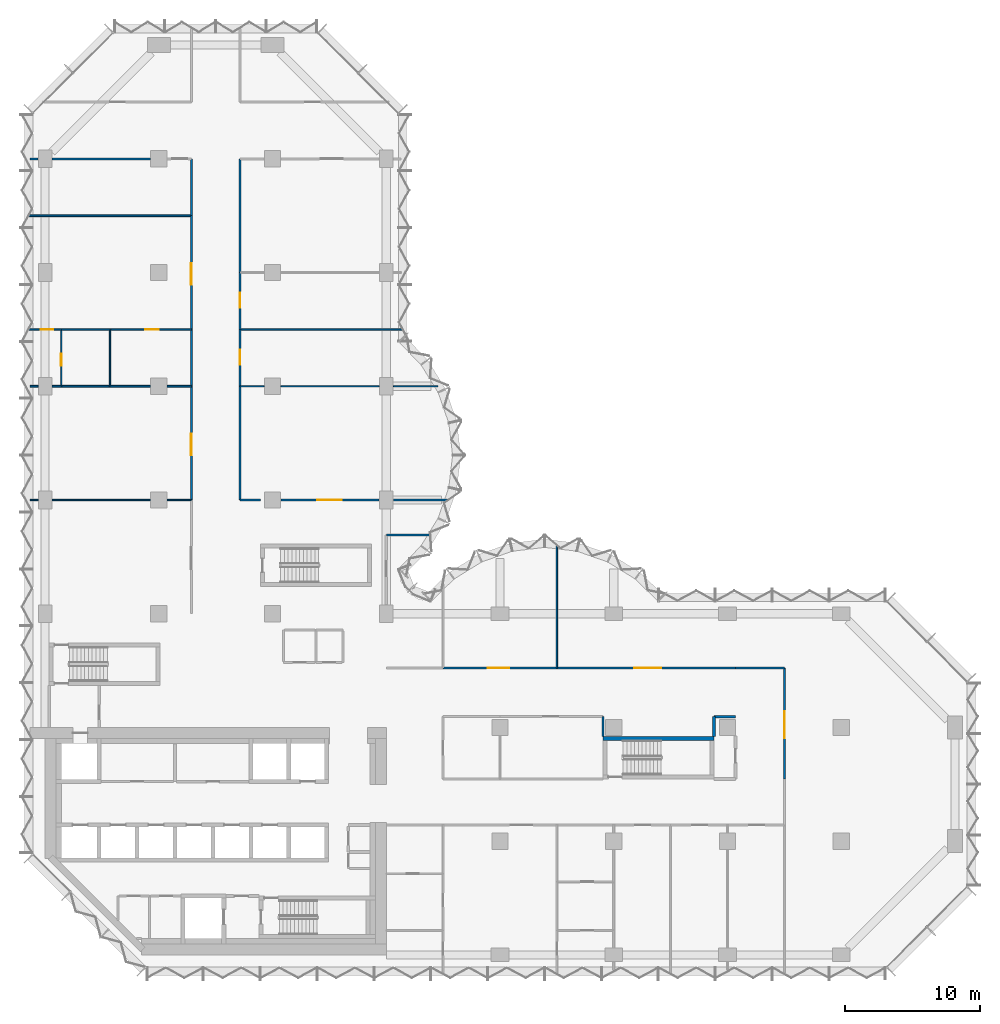
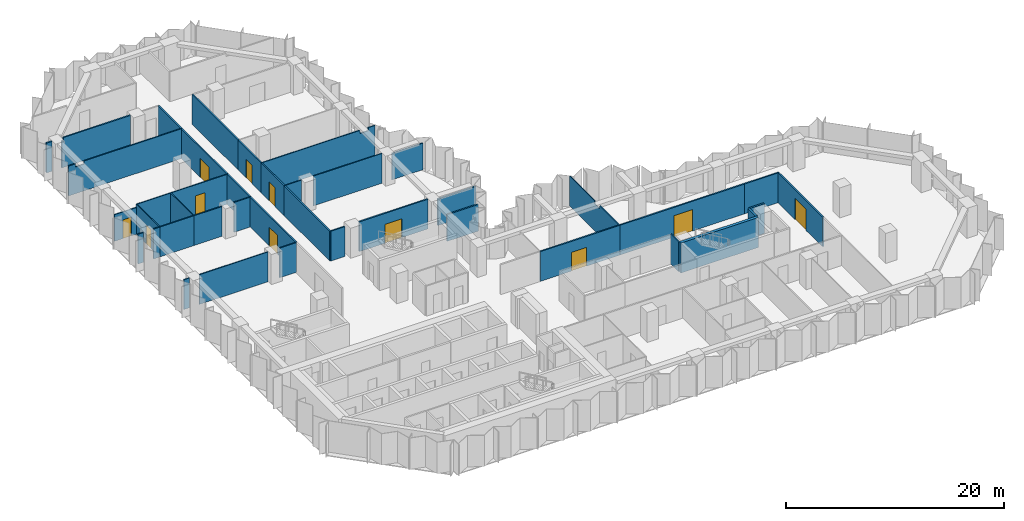
# One storey, part 10 of 13: 41 walls, 11 doors, 11 openings.
"""IFC4 building model written with IfcOpenShell, lengths in metres."""

from ifc_helpers import new_model, si_unit, direction, frame, frame_2d, origin, place, context, subcontext, project, spatial, polyline, rectangle, outline, extrude, material, layer, layer_set, type_object, element, fill, save


model = new_model("IFC4")

# Units and contexts
model_context = context("Model", 3, precision=1e-05, world=origin(), true_north=direction((0.0, 1.0)))
body_context = subcontext(model_context, "Body", "Model", "MODEL_VIEW")
ifc_project = project(units=[si_unit("LENGTHUNIT", "METRE"), si_unit("AREAUNIT", "SQUARE_METRE"), si_unit("VOLUMEUNIT", "CUBIC_METRE"), si_unit("PLANEANGLEUNIT", "RADIAN"), si_unit("MASSUNIT", "GRAM", prefix="KILO")], contexts=[model_context])

# Site, building, storey
site_placement = place(None, origin())
site = spatial("IfcSite", under=ifc_project, at=site_placement, CompositionType="ELEMENT")
building_placement = place(site_placement, origin())
building = spatial("IfcBuilding", under=site, at=building_placement, Name="Brevane Broadcast Tower", CompositionType="ELEMENT")
storey_placement = place(building_placement, frame((0.0, 0.0, 102.5)))
storey = spatial("IfcBuildingStorey", under=building, at=storey_placement, Name="L24", CompositionType="ELEMENT", Elevation=102.5)

# Walls
ifc_material_1 = material(Name="Concrete C60/75", Category="concrete")
ifc_layer_1 = layer(ifc_material_1, 0.300048828125)
ifc_layer_set_1 = layer_set([ifc_layer_1], Name="Core wall 300 mm C60/75")
wall_type_1 = type_object("IfcWallType", Name="Core wall 300 mm C60/75", PredefinedType="SHEAR", material=ifc_layer_set_1)
wall_1_placement = place(storey_placement, frame((41.199951171875, 16.0, 0.0), z_axis=(0.0, 0.0, 1.0), x_axis=(1.0, 0.0, 0.0)))
element("IfcWall", 1, at=wall_1_placement, inside=storey, type_object=wall_type_1, Name="L24 stair wall ST-4-N", PredefinedType="SHEAR", context=body_context, shape_type="SweptSolid", body=[
    extrude(rectangle(XDim=8.199951171875, YDim=0.300048828125, at=frame_2d((4.10009765625, 0.0))), origin(), (0.0, 0.0, 1.0), 3.35009765625),
])
ifc_material_2 = material(Name="Gypsum board partition")
ifc_layer_2 = layer(ifc_material_2, 0.10009765625)
ifc_layer_set_2 = layer_set([ifc_layer_2], Name="PARTITION 100 STUD")
wall_type_2 = type_object("IfcWallType", Name="PARTITION 100 STUD", PredefinedType="PARTITIONING", material=ifc_layer_set_2)
wall_2_placement = place(storey_placement, frame((37.800048828125, 30.24267578125, 0.0), z_axis=(0.0, 0.0, 1.0), x_axis=(0.0, -1.0, 0.0)))
element("IfcWall", 2, at=wall_2_placement, inside=storey, type_object=wall_type_2, Name="Partition G07-047", PredefinedType="PARTITIONING", context=body_context, shape_type="SweptSolid", body=[
    extrude(outline(polyline([(0.0, 0.0), (9.042724609375, 0.0), (9.042724609375, 3.330078125), (5.49267578125, 3.330078125), (5.49072265625, 2.97998046875), (4.5947265625, 2.97998046875), (4.5927734375, 3.330078125), (0.0, 3.330078125), (0.0, 0.0)])), frame((0.0, 0.050048828125, 0.0), z_axis=(0.0, -1.0, 0.0), x_axis=(1.0, 0.0, 0.0)), (0.0, 0.0, 1.0), 0.10009765625),
])
wall_3_placement = place(storey_placement, frame((-1.10009765625, 33.60009765625, 0.0), z_axis=(0.0, 0.0, 1.0), x_axis=(1.0, 0.0, 0.0)))
element("IfcWall", 3, at=wall_3_placement, inside=storey, type_object=wall_type_2, Name="Partition G07-066", PredefinedType="PARTITIONING", context=body_context, shape_type="SweptSolid", body=[
    extrude(rectangle(XDim=0.580078125, YDim=0.10009765625, at=frame_2d((0.2900390625, 0.0))), origin(), (0.0, 0.0, 1.0), 3.330078125),
])
wall_4_placement = place(storey_placement, frame((0.52001953125, 33.60009765625, 0.0), z_axis=(0.0, 0.0, 1.0), x_axis=(1.0, 0.0, 0.0)))
element("IfcWall", 4, at=wall_4_placement, inside=storey, type_object=wall_type_2, Name="Partition G07-067", PredefinedType="PARTITIONING", context=body_context, shape_type="SweptSolid", body=[
    extrude(rectangle(XDim=7.260009765625, YDim=0.10009765625, at=frame_2d((3.6298828125, 0.0))), origin(), (0.0, 0.0, 1.0), 3.330078125),
])
wall_5_placement = place(storey_placement, frame((9.02001953125, 33.60009765625, 0.0), z_axis=(0.0, 0.0, 1.0), x_axis=(1.0, 0.0, 0.0)))
element("IfcWall", 5, at=wall_5_placement, inside=storey, type_object=wall_type_2, Name="Partition G07-068", PredefinedType="PARTITIONING", context=body_context, shape_type="SweptSolid", body=[
    extrude(rectangle(XDim=1.780029296875, YDim=0.10009765625, at=frame_2d((0.89013671875, 0.0))), origin(), (0.0, 0.0, 1.0), 3.330078125),
])

# Wall, opening, door
wall_6_placement = place(storey_placement, frame((1.199951171875, 46.199951171875, 0.0), z_axis=(0.0, 0.0, 1.0), x_axis=(-1.0, 0.0, 0.0)))
wall_6 = element("IfcWall", 6, at=wall_6_placement, inside=storey, type_object=wall_type_2, Name="Partition G07-074", PredefinedType="PARTITIONING", context=body_context, shape_type="SweptSolid", body=[
    extrude(rectangle(XDim=2.3740234375, YDim=0.10009765625, at=frame_2d((1.18701171875, 0.0))), origin(), (0.0, 0.0, 1.0), 2.97998046875),
])
opening_1_placement = place(wall_6_placement, frame((0.60009765625, 0.0, 0.0)))
opening_1 = element("IfcOpeningElement", 7, at=opening_1_placement, cuts=wall_6, Name="Opening D14-021", PredefinedType="OPENING", context=body_context, shape_type="SweptSolid", body=[
    extrude(rectangle(XDim=0.89990234375, YDim=2.10009765625, at=frame_2d((0.449951171875, 1.050048828125))), frame((0.0, 0.06005859375, 0.0), z_axis=(0.0, -1.0, 0.0), x_axis=(1.0, 0.0, 0.0)), (0.0, 0.0, 1.0), 0.1201171875),
])
ifc_material_3 = material(Name="Timber door leaf", Category="wood")
door_type_1 = type_object("IfcDoorType", Name="DOOR SINGLE 900 INTERNAL", OperationType="SINGLE_SWING_LEFT", PredefinedType="DOOR", material=ifc_material_3)
door_1_placement = place(opening_1_placement, origin())
door_1 = element("IfcDoor", 8, at=door_1_placement, inside=storey, type_object=door_type_1, Name="Door D14-021", OperationType="SINGLE_SWING_LEFT", OverallHeight=2.10009765625, OverallWidth=0.89990234375, PredefinedType="DOOR", context=body_context, shape_type="SweptSolid", body=[
    extrude(rectangle(XDim=0.89990234375, YDim=2.10009765625, at=frame_2d((0.449951171875, 1.050048828125))), frame((0.0, 0.02490234375, 0.0), z_axis=(0.0, -1.0, 0.0), x_axis=(1.0, 0.0, 0.0)), (0.0, 0.0, 1.0), 0.050048828125),
])
fill(opening_1, door_1)

# Wall
wall_7_placement = place(storey_placement, frame((4.800048828125, 46.199951171875, 0.0), z_axis=(0.0, 0.0, 1.0), x_axis=(-1.0, 0.0, 0.0)))
element("IfcWall", 9, at=wall_7_placement, inside=storey, type_object=wall_type_2, Name="Partition G07-075", PredefinedType="PARTITIONING", context=body_context, shape_type="SweptSolid", body=[
    extrude(rectangle(XDim=3.60009765625, YDim=0.10009765625, at=frame_2d((1.800048828125, 0.0))), origin(), (0.0, 0.0, 1.0), 3.330078125),
])

# Wall, opening, door
wall_8_placement = place(storey_placement, frame((10.800048828125, 46.199951171875, 0.0), z_axis=(0.0, 0.0, 1.0), x_axis=(-1.0, 0.0, 0.0)))
wall_8 = element("IfcWall", 10, at=wall_8_placement, inside=storey, type_object=wall_type_2, Name="Partition G07-076", PredefinedType="PARTITIONING", context=body_context, shape_type="SweptSolid", body=[
    extrude(rectangle(XDim=6.0, YDim=0.10009765625, at=frame_2d((3.0, 0.0))), origin(), (0.0, 0.0, 1.0), 3.330078125),
])
opening_2_placement = place(wall_8_placement, frame((2.39990234375, 0.0, 0.0)))
opening_2 = element("IfcOpeningElement", 11, at=opening_2_placement, cuts=wall_8, Name="Opening D14-023", PredefinedType="OPENING", context=body_context, shape_type="SweptSolid", body=[
    extrude(rectangle(XDim=1.0, YDim=2.10009765625, at=frame_2d((0.5, 1.050048828125))), frame((0.0, 0.06005859375, 0.0), z_axis=(0.0, -1.0, 0.0), x_axis=(1.0, 0.0, 0.0)), (0.0, 0.0, 1.0), 0.1201171875),
])
door_type_2 = type_object("IfcDoorType", Name="DOOR SINGLE 1000 INTERNAL", OperationType="SINGLE_SWING_LEFT", PredefinedType="DOOR", material=ifc_material_3)
door_2_placement = place(opening_2_placement, origin())
door_2 = element("IfcDoor", 12, at=door_2_placement, inside=storey, type_object=door_type_2, Name="Door D14-023", OperationType="SINGLE_SWING_LEFT", OverallHeight=2.10009765625, OverallWidth=1.0, PredefinedType="DOOR", context=body_context, shape_type="SweptSolid", body=[
    extrude(rectangle(XDim=1.0, YDim=2.10009765625, at=frame_2d((0.5, 1.050048828125))), frame((0.0, 0.02490234375, 0.0), z_axis=(0.0, -1.0, 0.0), x_axis=(1.0, 0.0, 0.0)), (0.0, 0.0, 1.0), 0.050048828125),
])
fill(opening_2, door_2)

wall_9_placement = place(storey_placement, frame((1.199951171875, 46.199951171875, 0.0), z_axis=(0.0, 0.0, 1.0), x_axis=(0.0, -1.0, 0.0)))
wall_9 = element("IfcWall", 13, at=wall_9_placement, inside=storey, type_object=wall_type_2, Name="Partition G07-078", PredefinedType="PARTITIONING", context=body_context, shape_type="SweptSolid", body=[
    extrude(rectangle(XDim=4.199951171875, YDim=0.10009765625, at=frame_2d((2.10009765625, 0.0))), origin(), (0.0, 0.0, 1.0), 3.330078125),
])
opening_3_placement = place(wall_9_placement, frame((1.800048828125, 0.0, 0.0)))
opening_3 = element("IfcOpeningElement", 14, at=opening_3_placement, cuts=wall_9, Name="Opening D14-022", PredefinedType="OPENING", context=body_context, shape_type="SweptSolid", body=[
    extrude(rectangle(XDim=0.89990234375, YDim=2.10009765625, at=frame_2d((0.449951171875, 1.050048828125))), frame((0.0, 0.06005859375, 0.0), z_axis=(0.0, -1.0, 0.0), x_axis=(1.0, 0.0, 0.0)), (0.0, 0.0, 1.0), 0.1201171875),
])
door_3_placement = place(opening_3_placement, origin())
door_3 = element("IfcDoor", 15, at=door_3_placement, inside=storey, type_object=door_type_1, Name="Door D14-022", OperationType="SINGLE_SWING_LEFT", OverallHeight=2.10009765625, OverallWidth=0.89990234375, PredefinedType="DOOR", context=body_context, shape_type="SweptSolid", body=[
    extrude(rectangle(XDim=0.89990234375, YDim=2.10009765625, at=frame_2d((0.449951171875, 1.050048828125))), frame((0.0, 0.02490234375, 0.0), z_axis=(0.0, -1.0, 0.0), x_axis=(1.0, 0.0, 0.0)), (0.0, 0.0, 1.0), 0.050048828125),
])
fill(opening_3, door_3)

# Walls
wall_10_placement = place(storey_placement, frame((4.800048828125, 46.199951171875, 0.0), z_axis=(0.0, 0.0, 1.0), x_axis=(0.0, -1.0, 0.0)))
element("IfcWall", 16, at=wall_10_placement, inside=storey, type_object=wall_type_2, Name="Partition G07-079", PredefinedType="PARTITIONING", context=body_context, shape_type="SweptSolid", body=[
    extrude(rectangle(XDim=4.199951171875, YDim=0.10009765625, at=frame_2d((2.10009765625, 0.0))), origin(), (0.0, 0.0, 1.0), 3.330078125),
])
wall_11_placement = place(storey_placement, frame((14.39990234375, 42.0, 0.0), z_axis=(0.0, 0.0, 1.0), x_axis=(1.0, 0.0, 0.0)))
element("IfcWall", 17, at=wall_11_placement, inside=storey, type_object=wall_type_2, Name="Partition G07-084", PredefinedType="PARTITIONING", context=body_context, shape_type="SweptSolid", body=[
    extrude(rectangle(XDim=1.780029296875, YDim=0.10009765625, at=frame_2d((0.89013671875, 0.0))), origin(), (0.0, 0.0, 1.0), 3.330078125),
])
wall_12_placement = place(storey_placement, frame((17.419921875, 42.0, 0.0), z_axis=(0.0, 0.0, 1.0), x_axis=(1.0, 0.0, 0.0)))
element("IfcWall", 18, at=wall_12_placement, inside=storey, type_object=wall_type_2, Name="Partition G07-085", PredefinedType="PARTITIONING", context=body_context, shape_type="SweptSolid", body=[
    extrude(rectangle(XDim=7.260009765625, YDim=0.10009765625, at=frame_2d((3.6298828125, 0.0))), origin(), (0.0, 0.0, 1.0), 3.330078125),
])
wall_13_placement = place(storey_placement, frame((25.719970703125, 42.0, 0.0), z_axis=(0.0, 0.0, 1.0), x_axis=(1.0, 0.0, 0.0)))
element("IfcWall", 19, at=wall_13_placement, inside=storey, type_object=wall_type_2, Name="Partition G07-086", PredefinedType="PARTITIONING", context=body_context, shape_type="SweptSolid", body=[
    extrude(rectangle(XDim=3.29150390625, YDim=0.10009765625, at=frame_2d((1.645751953125, 0.0))), origin(), (0.0, 0.0, 1.0), 2.97998046875),
])
wall_14_placement = place(storey_placement, frame((14.39990234375, 46.199951171875, 0.0), z_axis=(0.0, 0.0, 1.0), x_axis=(1.0, 0.0, 0.0)))
element("IfcWall", 20, at=wall_14_placement, inside=storey, type_object=wall_type_2, Name="Partition G07-087", PredefinedType="PARTITIONING", context=body_context, shape_type="SweptSolid", body=[
    extrude(outline(polyline([(0.0, 0.0), (11.97412109375, 0.0), (11.97412109375, 3.330078125), (11.89990234375, 3.330078125), (11.25, 3.330078125), (11.248046875, 2.97998046875), (10.35205078125, 2.97998046875), (10.35009765625, 3.330078125), (0.0, 3.330078125), (0.0, 0.0)])), frame((0.0, 0.050048828125, 0.0), z_axis=(0.0, -1.0, 0.0), x_axis=(1.0, 0.0, 0.0)), (0.0, 0.0, 1.0), 0.10009765625),
])
ifc_layer_3 = layer(ifc_material_2, 0.125)
ifc_layer_set_3 = layer_set([ifc_layer_3], Name="PARTITION 125 ACOUSTIC")
wall_type_3 = type_object("IfcWallType", Name="PARTITION 125 ACOUSTIC", PredefinedType="PARTITIONING", material=ifc_layer_set_3)
wall_15_placement = place(storey_placement, frame((-1.10009765625, 42.0, 0.0), z_axis=(0.0, 0.0, 1.0), x_axis=(1.0, 0.0, 0.0)))
element("IfcWall", 21, at=wall_15_placement, inside=storey, type_object=wall_type_3, Name="Partition G07-069", PredefinedType="PARTITIONING", context=body_context, shape_type="SweptSolid", body=[
    extrude(rectangle(XDim=0.580078125, YDim=0.125, at=frame_2d((0.2900390625, 0.0))), origin(), (0.0, 0.0, 1.0), 3.330078125),
])
wall_16_placement = place(storey_placement, frame((0.52001953125, 42.0, 0.0), z_axis=(0.0, 0.0, 1.0), x_axis=(1.0, 0.0, 0.0)))
element("IfcWall", 22, at=wall_16_placement, inside=storey, type_object=wall_type_3, Name="Partition G07-070", PredefinedType="PARTITIONING", context=body_context, shape_type="SweptSolid", body=[
    extrude(rectangle(XDim=0.679931640625, YDim=0.125, at=frame_2d((0.33984375, 0.0))), origin(), (0.0, 0.0, 1.0), 3.330078125),
])
wall_17_placement = place(storey_placement, frame((1.199951171875, 42.0, 0.0), z_axis=(0.0, 0.0, 1.0), x_axis=(1.0, 0.0, 0.0)))
element("IfcWall", 23, at=wall_17_placement, inside=storey, type_object=wall_type_3, Name="Partition G07-071", PredefinedType="PARTITIONING", context=body_context, shape_type="SweptSolid", body=[
    extrude(rectangle(XDim=3.60009765625, YDim=0.125, at=frame_2d((1.800048828125, 0.0))), origin(), (0.0, 0.0, 1.0), 3.330078125),
])
wall_18_placement = place(storey_placement, frame((4.800048828125, 42.0, 0.0), z_axis=(0.0, 0.0, 1.0), x_axis=(1.0, 0.0, 0.0)))
element("IfcWall", 24, at=wall_18_placement, inside=storey, type_object=wall_type_3, Name="Partition G07-072", PredefinedType="PARTITIONING", context=body_context, shape_type="SweptSolid", body=[
    extrude(rectangle(XDim=2.97998046875, YDim=0.125, at=frame_2d((1.489990234375, 0.0))), origin(), (0.0, 0.0, 1.0), 3.330078125),
])
wall_19_placement = place(storey_placement, frame((9.02001953125, 42.0, 0.0), z_axis=(0.0, 0.0, 1.0), x_axis=(1.0, 0.0, 0.0)))
element("IfcWall", 25, at=wall_19_placement, inside=storey, type_object=wall_type_3, Name="Partition G07-073", PredefinedType="PARTITIONING", context=body_context, shape_type="SweptSolid", body=[
    extrude(rectangle(XDim=1.780029296875, YDim=0.125, at=frame_2d((0.89013671875, 0.0))), origin(), (0.0, 0.0, 1.0), 3.330078125),
])
wall_20_placement = place(storey_placement, frame((-1.174072265625, 54.60009765625, 0.0), z_axis=(0.0, 0.0, 1.0), x_axis=(1.0, 0.0, 0.0)))
element("IfcWall", 26, at=wall_20_placement, inside=storey, type_object=wall_type_3, Name="Partition G07-077", PredefinedType="PARTITIONING", context=body_context, shape_type="SweptSolid", body=[
    extrude(outline(polyline([(0.0, 0.0), (11.97412109375, 0.0), (11.97412109375, 3.330078125), (1.6240234375, 3.330078125), (1.6220703125, 2.97998046875), (0.72607421875, 2.97998046875), (0.72412109375, 3.330078125), (0.073974609375, 3.330078125), (0.0, 3.330078125), (0.0, 0.0)])), frame((0.0, 0.0625, 0.0), z_axis=(0.0, -1.0, 0.0), x_axis=(1.0, 0.0, 0.0)), (0.0, 0.0, 1.0), 0.125),
])
ifc_layer_4 = layer(ifc_material_2, 0.14990234375)
ifc_layer_set_4 = layer_set([ifc_layer_4], Name="PARTITION 150 EI 60")
wall_type_4 = type_object("IfcWallType", Name="PARTITION 150 EI 60", PredefinedType="PARTITIONING", material=ifc_layer_set_4)
wall_21_placement = place(storey_placement, frame((25.199951171875, 31.0, 0.0), z_axis=(0.0, 0.0, 1.0), x_axis=(1.0, 0.0, 0.0)))
element("IfcWall", 27, at=wall_21_placement, inside=storey, type_object=wall_type_4, Name="Partition G07-006", PredefinedType="PARTITIONING", context=body_context, shape_type="SweptSolid", body=[
    extrude(rectangle(XDim=3.32421875, YDim=0.14990234375, at=frame_2d((1.662109375, 0.0))), origin(), (0.0, 0.0, 1.0), 2.97998046875),
])

# Wall, opening, door
wall_22_placement = place(storey_placement, frame((54.60009765625, 21.199951171875, 0.0), z_axis=(0.0, 0.0, 1.0), x_axis=(0.0, -1.0, 0.0)))
wall_22 = element("IfcWall", 28, at=wall_22_placement, inside=storey, type_object=wall_type_4, Name="Partition G07-016", PredefinedType="PARTITIONING", context=body_context, shape_type="SweptSolid", body=[
    extrude(rectangle(XDim=8.199951171875, YDim=0.14990234375, at=frame_2d((4.10009765625, 0.0))), origin(), (0.0, 0.0, 1.0), 3.330078125),
])
opening_4_placement = place(wall_22_placement, frame((3.199951171875, 0.0, 0.0)))
opening_4 = element("IfcOpeningElement", 29, at=opening_4_placement, cuts=wall_22, Name="Opening D14-002", PredefinedType="OPENING", context=body_context, shape_type="SweptSolid", body=[
    extrude(rectangle(XDim=2.0, YDim=2.39990234375, at=frame_2d((1.0, 1.199951171875))), frame((0.0, 0.0849609375, 0.0), z_axis=(0.0, -1.0, 0.0), x_axis=(1.0, 0.0, 0.0)), (0.0, 0.0, 1.0), 0.169921875),
])
ifc_material_4 = material(Name="Fire-rated timber door leaf", Category="wood")
door_type_3 = type_object("IfcDoorType", Name="DOOR DOUBLE 2000 FD30S", OperationType="DOUBLE_DOOR_SINGLE_SWING", PredefinedType="DOOR", material=ifc_material_4)
door_4_placement = place(opening_4_placement, origin())
door_4 = element("IfcDoor", 30, at=door_4_placement, inside=storey, type_object=door_type_3, Name="Door D14-002", OperationType="DOUBLE_DOOR_SINGLE_SWING", OverallHeight=2.39990234375, OverallWidth=2.0, PredefinedType="DOOR", context=body_context, shape_type="SweptSolid", body=[
    extrude(rectangle(XDim=2.0, YDim=2.39990234375, at=frame_2d((1.0, 1.199951171875))), frame((0.0, 0.02490234375, 0.0), z_axis=(0.0, -1.0, 0.0), x_axis=(1.0, 0.0, 0.0)), (0.0, 0.0, 1.0), 0.050048828125),
])
fill(opening_4, door_4)

# Wall
wall_23_placement = place(storey_placement, frame((41.199951171875, 16.14990234375, 0.0), z_axis=(0.0, 0.0, 1.0), x_axis=(0.0, 1.0, 0.0)))
element("IfcWall", 31, at=wall_23_placement, inside=storey, type_object=wall_type_4, Name="Partition G07-019", PredefinedType="PARTITIONING", context=body_context, shape_type="SweptSolid", body=[
    extrude(rectangle(XDim=1.4501953125, YDim=0.14990234375, at=frame_2d((0.72509765625, 0.0))), origin(), (0.0, 0.0, 1.0), 3.330078125),
])

# Wall, opening, door
wall_24_placement = place(storey_placement, frame((29.39990234375, 21.199951171875, 0.0), z_axis=(0.0, 0.0, 1.0), x_axis=(1.0, 0.0, 0.0)))
wall_24 = element("IfcWall", 32, at=wall_24_placement, inside=storey, type_object=wall_type_4, Name="Partition G07-023", PredefinedType="PARTITIONING", context=body_context, shape_type="SweptSolid", body=[
    extrude(rectangle(XDim=8.400146484375, YDim=0.14990234375, at=frame_2d((4.2001953125, 0.0))), origin(), (0.0, 0.0, 1.0), 3.330078125),
])
opening_5_placement = place(wall_24_placement, frame((3.300048828125, 0.0, 0.0)))
opening_5 = element("IfcOpeningElement", 33, at=opening_5_placement, cuts=wall_24, Name="Opening D14-016", PredefinedType="OPENING", context=body_context, shape_type="SweptSolid", body=[
    extrude(rectangle(XDim=1.60009765625, YDim=2.10009765625, at=frame_2d((0.800048828125, 1.050048828125))), frame((0.0, 0.0849609375, 0.0), z_axis=(0.0, -1.0, 0.0), x_axis=(1.0, 0.0, 0.0)), (0.0, 0.0, 1.0), 0.169921875),
])
door_type_4 = type_object("IfcDoorType", Name="DOOR DOUBLE 1600 FD30S", OperationType="DOUBLE_DOOR_SINGLE_SWING", PredefinedType="DOOR", material=ifc_material_4)
door_5_placement = place(opening_5_placement, origin())
door_5 = element("IfcDoor", 34, at=door_5_placement, inside=storey, type_object=door_type_4, Name="Door D14-016", OperationType="DOUBLE_DOOR_SINGLE_SWING", OverallHeight=2.10009765625, OverallWidth=1.60009765625, PredefinedType="DOOR", context=body_context, shape_type="SweptSolid", body=[
    extrude(rectangle(XDim=1.60009765625, YDim=2.10009765625, at=frame_2d((0.800048828125, 1.050048828125))), frame((0.0, 0.02490234375, 0.0), z_axis=(0.0, -1.0, 0.0), x_axis=(1.0, 0.0, 0.0)), (0.0, 0.0, 1.0), 0.050048828125),
])
fill(opening_5, door_5)

wall_25_placement = place(storey_placement, frame((37.800048828125, 21.199951171875, 0.0), z_axis=(0.0, 0.0, 1.0), x_axis=(1.0, 0.0, 0.0)))
wall_25 = element("IfcWall", 35, at=wall_25_placement, inside=storey, type_object=wall_type_4, Name="Partition G07-024", PredefinedType="PARTITIONING", context=body_context, shape_type="SweptSolid", body=[
    extrude(rectangle(XDim=13.199951171875, YDim=0.14990234375, at=frame_2d((6.60009765625, 0.0))), origin(), (0.0, 0.0, 1.0), 3.330078125),
])
opening_6_placement = place(wall_25_placement, frame((5.699951171875, 0.0, 0.0)))
opening_6 = element("IfcOpeningElement", 36, at=opening_6_placement, cuts=wall_25, Name="Opening D14-017", PredefinedType="OPENING", context=body_context, shape_type="SweptSolid", body=[
    extrude(rectangle(XDim=2.0, YDim=2.39990234375, at=frame_2d((1.0, 1.199951171875))), frame((0.0, 0.0849609375, 0.0), z_axis=(0.0, -1.0, 0.0), x_axis=(1.0, 0.0, 0.0)), (0.0, 0.0, 1.0), 0.169921875),
])
door_6_placement = place(opening_6_placement, origin())
door_6 = element("IfcDoor", 37, at=door_6_placement, inside=storey, type_object=door_type_3, Name="Door D14-017", OperationType="DOUBLE_DOOR_SINGLE_SWING", OverallHeight=2.39990234375, OverallWidth=2.0, PredefinedType="DOOR", context=body_context, shape_type="SweptSolid", body=[
    extrude(rectangle(XDim=2.0, YDim=2.39990234375, at=frame_2d((1.0, 1.199951171875))), frame((0.0, 0.02490234375, 0.0), z_axis=(0.0, -1.0, 0.0), x_axis=(1.0, 0.0, 0.0)), (0.0, 0.0, 1.0), 0.050048828125),
])
fill(opening_6, door_6)

# Walls
wall_26_placement = place(storey_placement, frame((51.0, 21.199951171875, 0.0), z_axis=(0.0, 0.0, 1.0), x_axis=(1.0, 0.0, 0.0)))
element("IfcWall", 38, at=wall_26_placement, inside=storey, type_object=wall_type_4, Name="Partition G07-026", PredefinedType="PARTITIONING", context=body_context, shape_type="SweptSolid", body=[
    extrude(rectangle(XDim=3.60009765625, YDim=0.14990234375, at=frame_2d((1.800048828125, 0.0))), origin(), (0.0, 0.0, 1.0), 3.330078125),
])
wall_27_placement = place(storey_placement, frame((14.39990234375, 33.60009765625, 0.0), z_axis=(0.0, 0.0, 1.0), x_axis=(1.0, 0.0, 0.0)))
element("IfcWall", 39, at=wall_27_placement, inside=storey, type_object=wall_type_4, Name="Partition G07-049", PredefinedType="PARTITIONING", context=body_context, shape_type="SweptSolid", body=[
    extrude(rectangle(XDim=1.5, YDim=0.14990234375, at=frame_2d((0.75, 0.0))), origin(), (0.0, 0.0, 1.0), 3.330078125),
])

# Wall, opening, door
wall_28_placement = place(storey_placement, frame((17.419921875, 33.60009765625, 0.0), z_axis=(0.0, 0.0, 1.0), x_axis=(1.0, 0.0, 0.0)))
wall_28 = element("IfcWall", 40, at=wall_28_placement, inside=storey, type_object=wall_type_4, Name="Partition G07-050", PredefinedType="PARTITIONING", context=body_context, shape_type="SweptSolid", body=[
    extrude(rectangle(XDim=7.260009765625, YDim=0.14990234375, at=frame_2d((3.6298828125, 0.0))), origin(), (0.0, 0.0, 1.0), 3.330078125),
])
opening_7_placement = place(wall_28_placement, frame((2.699951171875, 0.0, 0.0)))
opening_7 = element("IfcOpeningElement", 41, at=opening_7_placement, cuts=wall_28, Name="Opening D14-026", PredefinedType="OPENING", context=body_context, shape_type="SweptSolid", body=[
    extrude(rectangle(XDim=1.800048828125, YDim=2.10009765625, at=frame_2d((0.89990234375, 1.050048828125))), frame((0.0, 0.0849609375, 0.0), z_axis=(0.0, -1.0, 0.0), x_axis=(1.0, 0.0, 0.0)), (0.0, 0.0, 1.0), 0.169921875),
])
door_type_5 = type_object("IfcDoorType", Name="DOOR DOUBLE 1800 FD30S", OperationType="DOUBLE_DOOR_SINGLE_SWING", PredefinedType="DOOR", material=ifc_material_4)
door_7_placement = place(opening_7_placement, origin())
door_7 = element("IfcDoor", 42, at=door_7_placement, inside=storey, type_object=door_type_5, Name="Door D14-026", OperationType="DOUBLE_DOOR_SINGLE_SWING", OverallHeight=2.10009765625, OverallWidth=1.800048828125, PredefinedType="DOOR", context=body_context, shape_type="SweptSolid", body=[
    extrude(rectangle(XDim=1.800048828125, YDim=2.10009765625, at=frame_2d((0.89990234375, 1.050048828125))), frame((0.0, 0.02490234375, 0.0), z_axis=(0.0, -1.0, 0.0), x_axis=(1.0, 0.0, 0.0)), (0.0, 0.0, 1.0), 0.050048828125),
])
fill(opening_7, door_7)

# Wall
wall_29_placement = place(storey_placement, frame((25.719970703125, 33.60009765625, 0.0), z_axis=(0.0, 0.0, 1.0), x_axis=(1.0, 0.0, 0.0)))
element("IfcWall", 43, at=wall_29_placement, inside=storey, type_object=wall_type_4, Name="Partition G07-051", PredefinedType="PARTITIONING", context=body_context, shape_type="SweptSolid", body=[
    extrude(rectangle(XDim=4.0419921875, YDim=0.14990234375, at=frame_2d((2.02099609375, 0.0))), origin(), (0.0, 0.0, 1.0), 2.97998046875),
])

# Wall, opening, door
wall_30_placement = place(storey_placement, frame((10.800048828125, 33.60009765625, 0.0), z_axis=(0.0, 0.0, 1.0), x_axis=(0.0, 1.0, 0.0)))
wall_30 = element("IfcWall", 44, at=wall_30_placement, inside=storey, type_object=wall_type_4, Name="Partition G07-052", PredefinedType="PARTITIONING", context=body_context, shape_type="SweptSolid", body=[
    extrude(rectangle(XDim=8.39990234375, YDim=0.14990234375, at=frame_2d((4.199951171875, 0.0))), origin(), (0.0, 0.0, 1.0), 3.330078125),
])
opening_8_placement = place(wall_30_placement, frame((3.300048828125, 0.0, 0.0)))
opening_8 = element("IfcOpeningElement", 45, at=opening_8_placement, cuts=wall_30, Name="Opening D14-019", PredefinedType="OPENING", context=body_context, shape_type="SweptSolid", body=[
    extrude(rectangle(XDim=1.60009765625, YDim=2.10009765625, at=frame_2d((0.800048828125, 1.050048828125))), frame((0.0, 0.0849609375, 0.0), z_axis=(0.0, -1.0, 0.0), x_axis=(1.0, 0.0, 0.0)), (0.0, 0.0, 1.0), 0.169921875),
])
door_8_placement = place(opening_8_placement, origin())
door_8 = element("IfcDoor", 46, at=door_8_placement, inside=storey, type_object=door_type_4, Name="Door D14-019", OperationType="DOUBLE_DOOR_SINGLE_SWING", OverallHeight=2.10009765625, OverallWidth=1.60009765625, PredefinedType="DOOR", context=body_context, shape_type="SweptSolid", body=[
    extrude(rectangle(XDim=1.60009765625, YDim=2.10009765625, at=frame_2d((0.800048828125, 1.050048828125))), frame((0.0, 0.02490234375, 0.0), z_axis=(0.0, -1.0, 0.0), x_axis=(1.0, 0.0, 0.0)), (0.0, 0.0, 1.0), 0.050048828125),
])
fill(opening_8, door_8)

wall_31_placement = place(storey_placement, frame((10.800048828125, 46.199951171875, 0.0), z_axis=(0.0, 0.0, 1.0), x_axis=(0.0, 1.0, 0.0)))
wall_31 = element("IfcWall", 47, at=wall_31_placement, inside=storey, type_object=wall_type_4, Name="Partition G07-053", PredefinedType="PARTITIONING", context=body_context, shape_type="SweptSolid", body=[
    extrude(rectangle(XDim=8.400146484375, YDim=0.14990234375, at=frame_2d((4.2001953125, 0.0))), origin(), (0.0, 0.0, 1.0), 3.330078125),
])
opening_9_placement = place(wall_31_placement, frame((3.300048828125, 0.0, 0.0)))
opening_9 = element("IfcOpeningElement", 48, at=opening_9_placement, cuts=wall_31, Name="Opening D14-020", PredefinedType="OPENING", context=body_context, shape_type="SweptSolid", body=[
    extrude(rectangle(XDim=1.60009765625, YDim=2.10009765625, at=frame_2d((0.800048828125, 1.050048828125))), frame((0.0, 0.0849609375, 0.0), z_axis=(0.0, -1.0, 0.0), x_axis=(1.0, 0.0, 0.0)), (0.0, 0.0, 1.0), 0.169921875),
])
door_9_placement = place(opening_9_placement, origin())
door_9 = element("IfcDoor", 49, at=door_9_placement, inside=storey, type_object=door_type_4, Name="Door D14-020", OperationType="DOUBLE_DOOR_SINGLE_SWING", OverallHeight=2.10009765625, OverallWidth=1.60009765625, PredefinedType="DOOR", context=body_context, shape_type="SweptSolid", body=[
    extrude(rectangle(XDim=1.60009765625, YDim=2.10009765625, at=frame_2d((0.800048828125, 1.050048828125))), frame((0.0, 0.02490234375, 0.0), z_axis=(0.0, -1.0, 0.0), x_axis=(1.0, 0.0, 0.0)), (0.0, 0.0, 1.0), 0.050048828125),
])
fill(opening_9, door_9)

# Walls
for number, where, z_axis, x_axis, name in (
    (50, (10.800048828125, 42.0, 0.0), (0.0, 0.0, 1.0), (0.0, 1.0, 0.0), "Partition G07-054"),
    (51, (10.800048828125, 54.60009765625, 0.0), (0.0, 0.0, 1.0), (0.0, 1.0, 0.0), "Partition G07-055"),
):
    element("IfcWall", number, at=place(storey_placement, frame(where, z_axis=z_axis, x_axis=x_axis)), inside=storey, type_object=wall_type_4, Name=name, PredefinedType="PARTITIONING", context=body_context, shape_type="SweptSolid", body=[
        extrude(rectangle(XDim=4.199951171875, YDim=0.14990234375, at=frame_2d((2.10009765625, 0.0))), origin(), (0.0, 0.0, 1.0), 3.330078125),
    ])
wall_32_placement = place(storey_placement, frame((14.39990234375, 42.0, 0.0), z_axis=(0.0, 0.0, 1.0), x_axis=(0.0, -1.0, 0.0)))
element("IfcWall", 52, at=wall_32_placement, inside=storey, type_object=wall_type_4, Name="Partition G07-057", PredefinedType="PARTITIONING", context=body_context, shape_type="SweptSolid", body=[
    extrude(rectangle(XDim=8.39990234375, YDim=0.14990234375, at=frame_2d((4.199951171875, 0.0))), origin(), (0.0, 0.0, 1.0), 3.330078125),
])

# Wall, opening, door
wall_33_placement = place(storey_placement, frame((14.39990234375, 46.199951171875, 0.0), z_axis=(0.0, 0.0, 1.0), x_axis=(0.0, -1.0, 0.0)))
wall_33 = element("IfcWall", 53, at=wall_33_placement, inside=storey, type_object=wall_type_4, Name="Partition G07-058", PredefinedType="PARTITIONING", context=body_context, shape_type="SweptSolid", body=[
    extrude(rectangle(XDim=4.199951171875, YDim=0.14990234375, at=frame_2d((2.10009765625, 0.0))), origin(), (0.0, 0.0, 1.0), 3.330078125),
])
opening_10_placement = place(wall_33_placement, frame((1.5, 0.0, 0.0)))
opening_10 = element("IfcOpeningElement", 54, at=opening_10_placement, cuts=wall_33, Name="Opening D14-027", PredefinedType="OPENING", context=body_context, shape_type="SweptSolid", body=[
    extrude(rectangle(XDim=1.10009765625, YDim=2.10009765625, at=frame_2d((0.550048828125, 1.050048828125))), frame((0.0, 0.0849609375, 0.0), z_axis=(0.0, -1.0, 0.0), x_axis=(1.0, 0.0, 0.0)), (0.0, 0.0, 1.0), 0.169921875),
])
door_type_6 = type_object("IfcDoorType", Name="DOOR SINGLE 1100 FD30S", OperationType="SINGLE_SWING_LEFT", PredefinedType="DOOR", material=ifc_material_4)
door_10_placement = place(opening_10_placement, origin())
door_10 = element("IfcDoor", 55, at=door_10_placement, inside=storey, type_object=door_type_6, Name="Door D14-027", OperationType="SINGLE_SWING_LEFT", OverallHeight=2.10009765625, OverallWidth=1.10009765625, PredefinedType="DOOR", context=body_context, shape_type="SweptSolid", body=[
    extrude(rectangle(XDim=1.10009765625, YDim=2.10009765625, at=frame_2d((0.550048828125, 1.050048828125))), frame((0.0, 0.02490234375, 0.0), z_axis=(0.0, -1.0, 0.0), x_axis=(1.0, 0.0, 0.0)), (0.0, 0.0, 1.0), 0.050048828125),
])
fill(opening_10, door_10)

wall_34_placement = place(storey_placement, frame((14.39990234375, 50.39990234375, 0.0), z_axis=(0.0, 0.0, 1.0), x_axis=(0.0, -1.0, 0.0)))
wall_34 = element("IfcWall", 56, at=wall_34_placement, inside=storey, type_object=wall_type_4, Name="Partition G07-059", PredefinedType="PARTITIONING", context=body_context, shape_type="SweptSolid", body=[
    extrude(rectangle(XDim=4.199951171875, YDim=0.14990234375, at=frame_2d((2.10009765625, 0.0))), origin(), (0.0, 0.0, 1.0), 3.330078125),
])
opening_11_placement = place(wall_34_placement, frame((1.5, 0.0, 0.0)))
opening_11 = element("IfcOpeningElement", 57, at=opening_11_placement, cuts=wall_34, Name="Opening D14-028", PredefinedType="OPENING", context=body_context, shape_type="SweptSolid", body=[
    extrude(rectangle(XDim=1.10009765625, YDim=2.10009765625, at=frame_2d((0.550048828125, 1.050048828125))), frame((0.0, 0.0849609375, 0.0), z_axis=(0.0, -1.0, 0.0), x_axis=(1.0, 0.0, 0.0)), (0.0, 0.0, 1.0), 0.169921875),
])
door_11_placement = place(opening_11_placement, origin())
door_11 = element("IfcDoor", 58, at=door_11_placement, inside=storey, type_object=door_type_6, Name="Door D14-028", OperationType="SINGLE_SWING_LEFT", OverallHeight=2.10009765625, OverallWidth=1.10009765625, PredefinedType="DOOR", context=body_context, shape_type="SweptSolid", body=[
    extrude(rectangle(XDim=1.10009765625, YDim=2.10009765625, at=frame_2d((0.550048828125, 1.050048828125))), frame((0.0, 0.02490234375, 0.0), z_axis=(0.0, -1.0, 0.0), x_axis=(1.0, 0.0, 0.0)), (0.0, 0.0, 1.0), 0.050048828125),
])
fill(opening_11, door_11)

# Walls
wall_35_placement = place(storey_placement, frame((14.39990234375, 58.800048828125, 0.0), z_axis=(0.0, 0.0, 1.0), x_axis=(0.0, -1.0, 0.0)))
element("IfcWall", 59, at=wall_35_placement, inside=storey, type_object=wall_type_4, Name="Partition G07-060", PredefinedType="PARTITIONING", context=body_context, shape_type="SweptSolid", body=[
    extrude(rectangle(XDim=8.400146484375, YDim=0.14990234375, at=frame_2d((4.2001953125, 0.0))), origin(), (0.0, 0.0, 1.0), 3.330078125),
])
wall_36_placement = place(storey_placement, frame((7.780029296875, 58.800048828125, 0.0), z_axis=(0.0, 0.0, 1.0), x_axis=(-1.0, 0.0, 0.0)))
element("IfcWall", 60, at=wall_36_placement, inside=storey, type_object=wall_type_4, Name="Partition G07-063", PredefinedType="PARTITIONING", context=body_context, shape_type="SweptSolid", body=[
    extrude(outline(polyline([(0.0, 0.0), (7.260009765625, 0.0), (7.260009765625, 2.97998046875), (7.09130859375, 2.97998046875), (7.08935546875, 3.330078125), (0.0, 3.330078125), (0.0, 0.0)])), frame((0.0, 0.074951171875, 0.0), z_axis=(0.0, -1.0, 0.0), x_axis=(1.0, 0.0, 0.0)), (0.0, 0.0, 1.0), 0.14990234375),
])
wall_37_placement = place(storey_placement, frame((-0.52001953125, 58.800048828125, 0.0), z_axis=(0.0, 0.0, 1.0), x_axis=(-1.0, 0.0, 0.0)))
element("IfcWall", 61, at=wall_37_placement, inside=storey, type_object=wall_type_4, Name="Partition G07-064", PredefinedType="PARTITIONING", context=body_context, shape_type="SweptSolid", body=[
    extrude(rectangle(XDim=0.580078125, YDim=0.14990234375, at=frame_2d((0.2900390625, 0.0))), origin(), (0.0, 0.0, 1.0), 3.330078125),
])
ifc_layer_5 = layer(ifc_material_2, 0.199951171875)
ifc_layer_set_5 = layer_set([ifc_layer_5], Name="PARTITION 200 EI 120")
wall_type_5 = type_object("IfcWallType", Name="PARTITION 200 EI 120", PredefinedType="PARTITIONING", material=ifc_layer_set_5)
wall_38_placement = place(storey_placement, frame((51.0, 17.60009765625, 0.0), z_axis=(0.0, 0.0, 1.0), x_axis=(-1.0, 0.0, 0.0)))
element("IfcWall", 62, at=wall_38_placement, inside=storey, type_object=wall_type_5, Name="Partition G07-021", PredefinedType="PARTITIONING", context=body_context, shape_type="SweptSolid", body=[
    extrude(rectangle(XDim=1.60009765625, YDim=0.199951171875, at=frame_2d((0.800048828125, 0.0))), origin(), (0.0, 0.0, 1.0), 3.330078125),
])
wall_39_placement = place(storey_placement, frame((49.39990234375, 17.60009765625, 0.0), z_axis=(0.0, 0.0, 1.0), x_axis=(0.0, -1.0, 0.0)))
element("IfcWall", 63, at=wall_39_placement, inside=storey, type_object=wall_type_5, Name="Partition G07-022", PredefinedType="PARTITIONING", context=body_context, shape_type="SweptSolid", body=[
    extrude(rectangle(XDim=1.4501953125, YDim=0.199951171875, at=frame_2d((0.72509765625, 0.0))), origin(), (0.0, 0.0, 1.0), 3.330078125),
])

save(model, "model.ifc")
